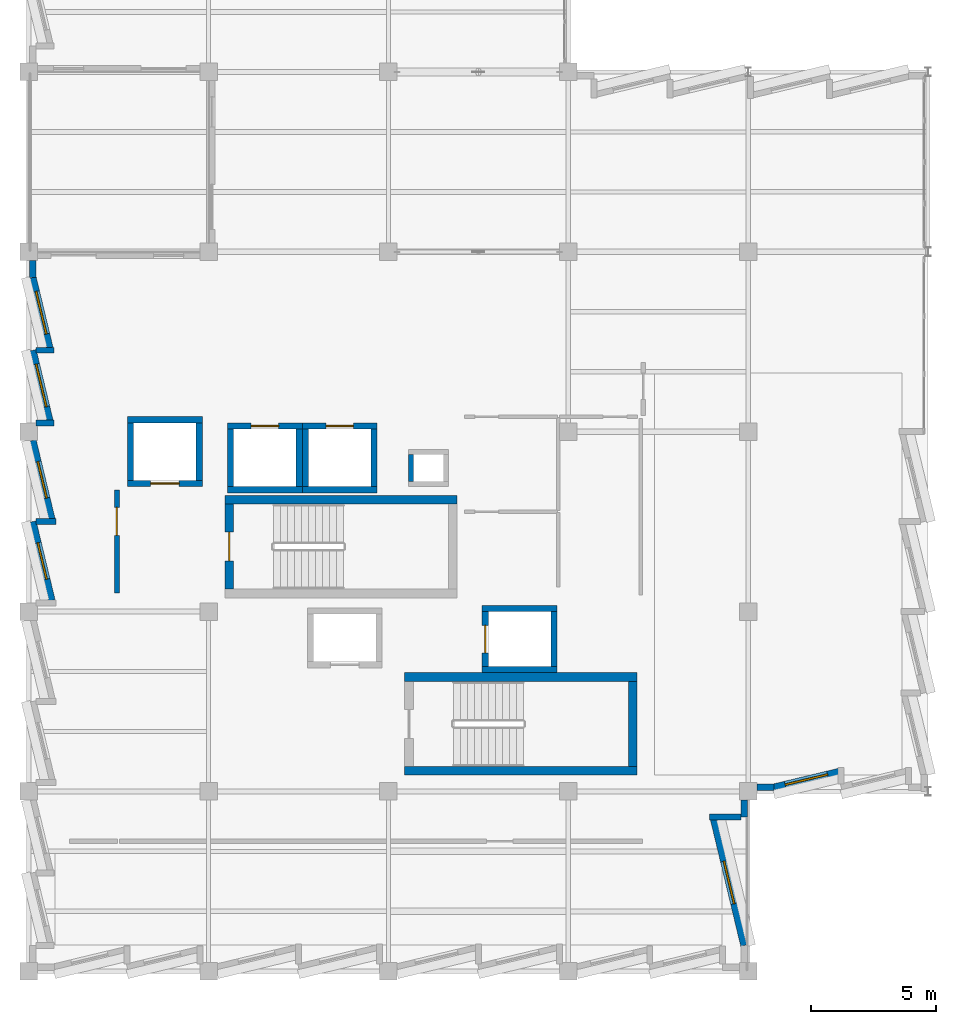
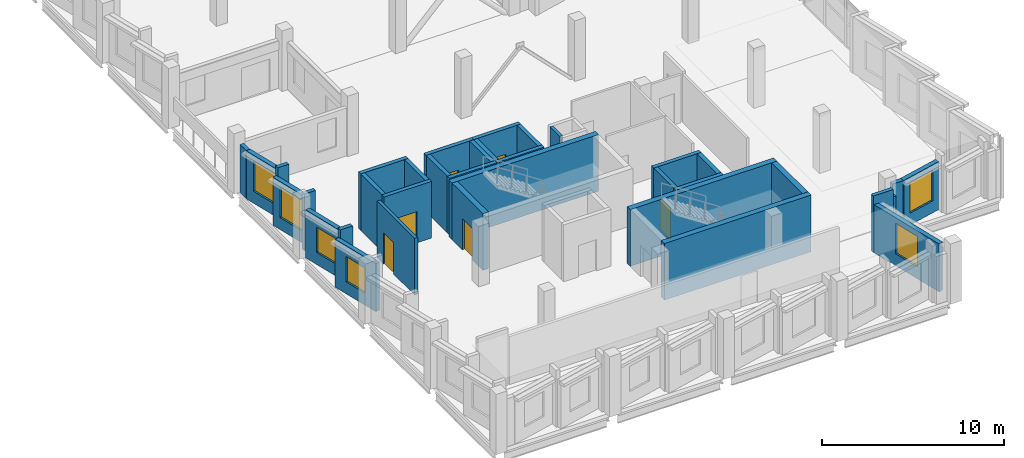
# One storey, part 23 of 33: 36 walls, 6 doors, 6 windows, 12 openings.
"""IFC4 building model written with IfcOpenShell, lengths in metres."""

from ifc_helpers import new_model, si_unit, direction, frame, frame_2d, origin, place, context, subcontext, project, spatial, rectangle, extrude, material, layer, layer_set, type_object, element, fill, save


model = new_model("IFC4")

# Units and contexts
model_context = context("Model", 3, precision=1e-05, world=origin(), true_north=direction((0.0, 1.0)))
body_context = subcontext(model_context, "Body", "Model", "MODEL_VIEW")
ifc_project = project(units=[si_unit("LENGTHUNIT", "METRE"), si_unit("AREAUNIT", "SQUARE_METRE"), si_unit("VOLUMEUNIT", "CUBIC_METRE"), si_unit("PLANEANGLEUNIT", "RADIAN"), si_unit("MASSUNIT", "GRAM", prefix="KILO")], contexts=[model_context])

# Site, building, storey
site_placement = place(None, origin())
site = spatial("IfcSite", under=ifc_project, at=site_placement, CompositionType="ELEMENT")
building_placement = place(site_placement, origin())
building = spatial("IfcBuilding", under=site, at=building_placement, Name="Kalmorath City Hall", CompositionType="ELEMENT")
storey_placement = place(building_placement, frame((0.0, 0.0, 22.949951171875)))
storey = spatial("IfcBuildingStorey", under=building, at=storey_placement, Name="L05", CompositionType="ELEMENT", Elevation=22.949951171875)

# Wall
ifc_material_1 = material(Name="Concrete C50/60", Category="concrete")
ifc_layer_1 = layer(ifc_material_1, 0.35009765625)
ifc_layer_set_1 = layer_set([ifc_layer_1], Name="Concrete C50/60")
wall_type_1 = type_object("IfcWallType", Name="Concrete core shear wall 350", PredefinedType="SHEAR", material=ifc_layer_set_1)
wall_1_placement = place(storey_placement, frame((17.14990234375, 18.875, 0.0), z_axis=(0.0, 0.0, 1.0), x_axis=(-1.0, 0.0, 0.0)))
element("IfcWall", 1, at=wall_1_placement, inside=storey, type_object=wall_type_1, Name="L05 C1 stair core shear wall N", PredefinedType="SHEAR", context=body_context, shape_type="SweptSolid", body=[
    extrude(rectangle(XDim=9.2998046875, YDim=0.35009765625, at=frame_2d((4.64990234375, 0.0))), origin(), (0.0, 0.0, 1.0), 3.800048828125),
])

# Wall, opening, door
wall_2_placement = place(storey_placement, frame((8.02490234375, 18.699951171875, 0.0), z_axis=(0.0, 0.0, 1.0), x_axis=(0.0, -1.0, 0.0)))
wall_2 = element("IfcWall", 2, at=wall_2_placement, inside=storey, type_object=wall_type_1, Name="L05 C1 stair core shear wall W", PredefinedType="SHEAR", context=body_context, shape_type="SweptSolid", body=[
    extrude(rectangle(XDim=3.39990234375, YDim=0.35009765625, at=frame_2d((1.699951171875, 0.0))), origin(), (0.0, 0.0, 1.0), 3.800048828125),
])
opening_1_placement = place(wall_2_placement, frame((1.125, 0.0, 0.0)))
opening_1 = element("IfcOpeningElement", 3, at=opening_1_placement, cuts=wall_2, Name="Opening D-L05-007", PredefinedType="OPENING", context=body_context, shape_type="SweptSolid", body=[
    extrude(rectangle(XDim=1.14990234375, YDim=2.10009765625, at=frame_2d((0.574951171875, 1.050048828125))), frame((0.0, 0.18505859375, 0.0), z_axis=(0.0, -1.0, 0.0), x_axis=(1.0, 0.0, 0.0)), (0.0, 0.0, 1.0), 0.3701171875),
])
ifc_material_2 = material(Name="Galvanised steel fire door", Category="steel")
door_type_1 = type_object("IfcDoorType", Name="Stair enclosure 90-min fire door 1150x2100", OperationType="NOTDEFINED", PredefinedType="DOOR", material=ifc_material_2)
door_1_placement = place(opening_1_placement, frame((1.14990234375, 0.0, 0.0), z_axis=(0.0, 0.0, 1.0), x_axis=(-1.0, 0.0, 0.0)))
door_1 = element("IfcDoor", 4, at=door_1_placement, inside=storey, type_object=door_type_1, Name="L05 door D-L05-007", OperationType="SINGLE_SWING_LEFT", OverallHeight=2.10009765625, OverallWidth=1.14990234375, PredefinedType="DOOR", context=body_context, shape_type="SweptSolid", body=[
    extrude(rectangle(XDim=1.14990234375, YDim=2.10009765625, at=frame_2d((0.574951171875, 1.050048828125))), frame((0.0, 0.02490234375, 0.0), z_axis=(0.0, -1.0, 0.0), x_axis=(1.0, 0.0, 0.0)), (0.0, 0.0, 1.0), 0.050048828125),
])
fill(opening_1, door_1)

# Walls
for number, where, z_axis, x_axis, name in (
    (5, (15.050048828125, 8.02490234375, 0.0), (0.0, 0.0, 1.0), (1.0, 0.0, 0.0), "L05 C2 stair core shear wall S"),
    (6, (24.35009765625, 11.77490234375, 0.0), (0.0, 0.0, 1.0), (-1.0, 0.0, 0.0), "L05 C2 stair core shear wall N"),
):
    element("IfcWall", number, at=place(storey_placement, frame(where, z_axis=z_axis, x_axis=x_axis)), inside=storey, type_object=wall_type_1, Name=name, PredefinedType="SHEAR", context=body_context, shape_type="SweptSolid", body=[
        extrude(rectangle(XDim=9.300048828125, YDim=0.35009765625, at=frame_2d((4.64990234375, 0.0))), origin(), (0.0, 0.0, 1.0), 3.800048828125),
    ])
wall_3_placement = place(storey_placement, frame((24.175048828125, 8.199951171875, 0.0), z_axis=(0.0, 0.0, 1.0), x_axis=(0.0, 1.0, 0.0)))
element("IfcWall", 7, at=wall_3_placement, inside=storey, type_object=wall_type_1, Name="L05 C2 stair core shear wall E", PredefinedType="SHEAR", context=body_context, shape_type="SweptSolid", body=[
    extrude(rectangle(XDim=3.400146484375, YDim=0.35009765625, at=frame_2d((1.7001953125, 0.0))), origin(), (0.0, 0.0, 1.0), 3.800048828125),
])

# Wall, opening, door
ifc_material_3 = material(Name="Concrete C50/60", Category="concrete")
ifc_layer_2 = layer(ifc_material_3, 0.25)
ifc_layer_set_2 = layer_set([ifc_layer_2], Name="Concrete C50/60")
wall_type_2 = type_object("IfcWallType", Name="Concrete lift shaft wall 250", PredefinedType="SHEAR", material=ifc_layer_set_2)
wall_4_placement = place(storey_placement, frame((3.949951171875, 19.52490234375, 0.0), z_axis=(0.0, 0.0, 1.0), x_axis=(1.0, 0.0, 0.0)))
wall_4 = element("IfcWall", 8, at=wall_4_placement, inside=storey, type_object=wall_type_2, Name="L05 FL1 lift shaft wall -y", PredefinedType="SHEAR", context=body_context, shape_type="SweptSolid", body=[
    extrude(rectangle(XDim=3.0, YDim=0.25, at=frame_2d((1.5, 0.0))), origin(), (0.0, 0.0, 1.0), 3.800048828125),
])
opening_2_placement = place(wall_4_placement, frame((0.925048828125, 0.0, 0.0)))
opening_2 = element("IfcOpeningElement", 9, at=opening_2_placement, cuts=wall_4, Name="Opening LD-016", PredefinedType="OPENING", context=body_context, shape_type="SweptSolid", body=[
    extrude(rectangle(XDim=1.14990234375, YDim=2.10009765625, at=frame_2d((0.574951171875, 1.050048828125))), frame((0.0, 0.135009765625, 0.0), z_axis=(0.0, -1.0, 0.0), x_axis=(1.0, 0.0, 0.0)), (0.0, 0.0, 1.0), 0.27001953125),
])
ifc_material_4 = material(Name="Stainless steel sliding landing door", Category="steel")
door_type_2 = type_object("IfcDoorType", Name="Firefighting lift sliding landing door 1150x2100", OperationType="SLIDING_TO_RIGHT", PredefinedType="DOOR", material=ifc_material_4)
door_2_placement = place(opening_2_placement, origin())
door_2 = element("IfcDoor", 10, at=door_2_placement, inside=storey, type_object=door_type_2, Name="L05 door LD-016", OperationType="SLIDING_TO_RIGHT", OverallHeight=2.10009765625, OverallWidth=1.14990234375, PredefinedType="DOOR", context=body_context, shape_type="SweptSolid", body=[
    extrude(rectangle(XDim=1.14990234375, YDim=2.10009765625, at=frame_2d((0.574951171875, 1.050048828125))), frame((0.0, 0.02490234375, 0.0), z_axis=(0.0, -1.0, 0.0), x_axis=(1.0, 0.0, 0.0)), (0.0, 0.0, 1.0), 0.050048828125),
])
fill(opening_2, door_2)

# Walls
wall_5_placement = place(storey_placement, frame((6.949951171875, 22.074951171875, 0.0), z_axis=(0.0, 0.0, 1.0), x_axis=(-1.0, 0.0, 0.0)))
element("IfcWall", 11, at=wall_5_placement, inside=storey, type_object=wall_type_2, Name="L05 FL1 lift shaft wall +y", PredefinedType="SHEAR", context=body_context, shape_type="SweptSolid", body=[
    extrude(rectangle(XDim=3.0, YDim=0.25, at=frame_2d((1.5, 0.0))), origin(), (0.0, 0.0, 1.0), 3.800048828125),
])
for number, where, z_axis, x_axis, name in (
    (12, (4.074951171875, 21.949951171875, 0.0), (0.0, 0.0, 1.0), (0.0, -1.0, 0.0), "L05 FL1 lift shaft wall -x"),
    (13, (6.824951171875, 19.64990234375, 0.0), (0.0, 0.0, 1.0), (0.0, 1.0, 0.0), "L05 FL1 lift shaft wall +x"),
):
    element("IfcWall", number, at=place(storey_placement, frame(where, z_axis=z_axis, x_axis=x_axis)), inside=storey, type_object=wall_type_2, Name=name, PredefinedType="SHEAR", context=body_context, shape_type="SweptSolid", body=[
        extrude(rectangle(XDim=2.300048828125, YDim=0.25, at=frame_2d((1.14990234375, 0.0))), origin(), (0.0, 0.0, 1.0), 3.800048828125),
    ])
wall_6_placement = place(storey_placement, frame((7.949951171875, 19.27490234375, 0.0), z_axis=(0.0, 0.0, 1.0), x_axis=(1.0, 0.0, 0.0)))
element("IfcWall", 14, at=wall_6_placement, inside=storey, type_object=wall_type_2, Name="L05 PL1 lift shaft wall -y", PredefinedType="SHEAR", context=body_context, shape_type="SweptSolid", body=[
    extrude(rectangle(XDim=3.0, YDim=0.25, at=frame_2d((1.5, 0.0))), origin(), (0.0, 0.0, 1.0), 3.800048828125),
])

# Wall, opening, door
wall_7_placement = place(storey_placement, frame((10.949951171875, 21.824951171875, 0.0), z_axis=(0.0, 0.0, 1.0), x_axis=(-1.0, 0.0, 0.0)))
wall_7 = element("IfcWall", 15, at=wall_7_placement, inside=storey, type_object=wall_type_2, Name="L05 PL1 lift shaft wall +y", PredefinedType="SHEAR", context=body_context, shape_type="SweptSolid", body=[
    extrude(rectangle(XDim=3.0, YDim=0.25, at=frame_2d((1.5, 0.0))), origin(), (0.0, 0.0, 1.0), 3.800048828125),
])
opening_3_placement = place(wall_7_placement, frame((0.949951171875, 0.0, 0.0)))
opening_3 = element("IfcOpeningElement", 16, at=opening_3_placement, cuts=wall_7, Name="Opening LD-025", PredefinedType="OPENING", context=body_context, shape_type="SweptSolid", body=[
    extrude(rectangle(XDim=1.10009765625, YDim=2.10009765625, at=frame_2d((0.550048828125, 1.050048828125))), frame((0.0, 0.135009765625, 0.0), z_axis=(0.0, -1.0, 0.0), x_axis=(1.0, 0.0, 0.0)), (0.0, 0.0, 1.0), 0.27001953125),
])
ifc_material_5 = material(Name="Stainless steel sliding landing door", Category="steel")
door_type_3 = type_object("IfcDoorType", Name="Passenger lift sliding landing door 1100x2100", OperationType="SLIDING_TO_LEFT", PredefinedType="DOOR", material=ifc_material_5)
door_3_placement = place(opening_3_placement, origin())
door_3 = element("IfcDoor", 17, at=door_3_placement, inside=storey, type_object=door_type_3, Name="L05 door LD-025", OperationType="SLIDING_TO_LEFT", OverallHeight=2.10009765625, OverallWidth=1.10009765625, PredefinedType="DOOR", context=body_context, shape_type="SweptSolid", body=[
    extrude(rectangle(XDim=1.10009765625, YDim=2.10009765625, at=frame_2d((0.550048828125, 1.050048828125))), frame((0.0, 0.02490234375, 0.0), z_axis=(0.0, -1.0, 0.0), x_axis=(1.0, 0.0, 0.0)), (0.0, 0.0, 1.0), 0.050048828125),
])
fill(opening_3, door_3)

# Walls
for number, where, z_axis, x_axis, name in (
    (18, (8.074951171875, 21.699951171875, 0.0), (0.0, 0.0, 1.0), (0.0, -1.0, 0.0), "L05 PL1 lift shaft wall -x"),
    (19, (10.824951171875, 19.39990234375, 0.0), (0.0, 0.0, 1.0), (0.0, 1.0, 0.0), "L05 PL1 lift shaft wall +x"),
):
    element("IfcWall", number, at=place(storey_placement, frame(where, z_axis=z_axis, x_axis=x_axis)), inside=storey, type_object=wall_type_2, Name=name, PredefinedType="SHEAR", context=body_context, shape_type="SweptSolid", body=[
        extrude(rectangle(XDim=2.300048828125, YDim=0.25, at=frame_2d((1.14990234375, 0.0))), origin(), (0.0, 0.0, 1.0), 3.800048828125),
    ])
wall_8_placement = place(storey_placement, frame((10.949951171875, 19.27490234375, 0.0), z_axis=(0.0, 0.0, 1.0), x_axis=(1.0, 0.0, 0.0)))
element("IfcWall", 20, at=wall_8_placement, inside=storey, type_object=wall_type_2, Name="L05 PL2 lift shaft wall -y", PredefinedType="SHEAR", context=body_context, shape_type="SweptSolid", body=[
    extrude(rectangle(XDim=3.0, YDim=0.25, at=frame_2d((1.5, 0.0))), origin(), (0.0, 0.0, 1.0), 3.800048828125),
])

# Wall, opening, door
wall_9_placement = place(storey_placement, frame((13.949951171875, 21.824951171875, 0.0), z_axis=(0.0, 0.0, 1.0), x_axis=(-1.0, 0.0, 0.0)))
wall_9 = element("IfcWall", 21, at=wall_9_placement, inside=storey, type_object=wall_type_2, Name="L05 PL2 lift shaft wall +y", PredefinedType="SHEAR", context=body_context, shape_type="SweptSolid", body=[
    extrude(rectangle(XDim=3.0, YDim=0.25, at=frame_2d((1.5, 0.0))), origin(), (0.0, 0.0, 1.0), 3.800048828125),
])
opening_4_placement = place(wall_9_placement, frame((0.949951171875, 0.0, 0.0)))
opening_4 = element("IfcOpeningElement", 22, at=opening_4_placement, cuts=wall_9, Name="Opening LD-034", PredefinedType="OPENING", context=body_context, shape_type="SweptSolid", body=[
    extrude(rectangle(XDim=1.10009765625, YDim=2.10009765625, at=frame_2d((0.550048828125, 1.050048828125))), frame((0.0, 0.135009765625, 0.0), z_axis=(0.0, -1.0, 0.0), x_axis=(1.0, 0.0, 0.0)), (0.0, 0.0, 1.0), 0.27001953125),
])
door_4_placement = place(opening_4_placement, origin())
door_4 = element("IfcDoor", 23, at=door_4_placement, inside=storey, type_object=door_type_3, Name="L05 door LD-034", OperationType="SLIDING_TO_LEFT", OverallHeight=2.10009765625, OverallWidth=1.10009765625, PredefinedType="DOOR", context=body_context, shape_type="SweptSolid", body=[
    extrude(rectangle(XDim=1.10009765625, YDim=2.10009765625, at=frame_2d((0.550048828125, 1.050048828125))), frame((0.0, 0.02490234375, 0.0), z_axis=(0.0, -1.0, 0.0), x_axis=(1.0, 0.0, 0.0)), (0.0, 0.0, 1.0), 0.050048828125),
])
fill(opening_4, door_4)

# Walls
for number, where, z_axis, x_axis, name in (
    (24, (11.074951171875, 21.699951171875, 0.0), (0.0, 0.0, 1.0), (0.0, -1.0, 0.0), "L05 PL2 lift shaft wall -x"),
    (25, (13.824951171875, 19.39990234375, 0.0), (0.0, 0.0, 1.0), (0.0, 1.0, 0.0), "L05 PL2 lift shaft wall +x"),
):
    element("IfcWall", number, at=place(storey_placement, frame(where, z_axis=z_axis, x_axis=x_axis)), inside=storey, type_object=wall_type_2, Name=name, PredefinedType="SHEAR", context=body_context, shape_type="SweptSolid", body=[
        extrude(rectangle(XDim=2.300048828125, YDim=0.25, at=frame_2d((1.14990234375, 0.0))), origin(), (0.0, 0.0, 1.0), 3.800048828125),
    ])
for number, where, z_axis, x_axis, name in (
    (26, (18.14990234375, 12.074951171875, 0.0), (0.0, 0.0, 1.0), (1.0, 0.0, 0.0), "L05 PL3 lift shaft wall -y"),
    (27, (21.14990234375, 14.52490234375, 0.0), (0.0, 0.0, 1.0), (-1.0, 0.0, 0.0), "L05 PL3 lift shaft wall +y"),
):
    element("IfcWall", number, at=place(storey_placement, frame(where, z_axis=z_axis, x_axis=x_axis)), inside=storey, type_object=wall_type_2, Name=name, PredefinedType="SHEAR", context=body_context, shape_type="SweptSolid", body=[
        extrude(rectangle(XDim=3.0, YDim=0.25, at=frame_2d((1.5, 0.0))), origin(), (0.0, 0.0, 1.0), 3.800048828125),
    ])

# Wall, opening, door
wall_10_placement = place(storey_placement, frame((18.27490234375, 14.39990234375, 0.0), z_axis=(0.0, 0.0, 1.0), x_axis=(0.0, -1.0, 0.0)))
wall_10 = element("IfcWall", 28, at=wall_10_placement, inside=storey, type_object=wall_type_2, Name="L05 PL3 lift shaft wall -x", PredefinedType="SHEAR", context=body_context, shape_type="SweptSolid", body=[
    extrude(rectangle(XDim=2.199951171875, YDim=0.25, at=frame_2d((1.10009765625, 0.0))), origin(), (0.0, 0.0, 1.0), 3.800048828125),
])
opening_5_placement = place(wall_10_placement, frame((0.550048828125, 0.0, 0.0)))
opening_5 = element("IfcOpeningElement", 29, at=opening_5_placement, cuts=wall_10, Name="Opening LD-061", PredefinedType="OPENING", context=body_context, shape_type="SweptSolid", body=[
    extrude(rectangle(XDim=1.10009765625, YDim=2.10009765625, at=frame_2d((0.550048828125, 1.050048828125))), frame((0.0, 0.135009765625, 0.0), z_axis=(0.0, -1.0, 0.0), x_axis=(1.0, 0.0, 0.0)), (0.0, 0.0, 1.0), 0.27001953125),
])
door_5_placement = place(opening_5_placement, origin())
door_5 = element("IfcDoor", 30, at=door_5_placement, inside=storey, type_object=door_type_3, Name="L05 door LD-061", OperationType="SLIDING_TO_LEFT", OverallHeight=2.10009765625, OverallWidth=1.10009765625, PredefinedType="DOOR", context=body_context, shape_type="SweptSolid", body=[
    extrude(rectangle(XDim=1.10009765625, YDim=2.10009765625, at=frame_2d((0.550048828125, 1.050048828125))), frame((0.0, 0.02490234375, 0.0), z_axis=(0.0, -1.0, 0.0), x_axis=(1.0, 0.0, 0.0)), (0.0, 0.0, 1.0), 0.050048828125),
])
fill(opening_5, door_5)

# Walls
wall_11_placement = place(storey_placement, frame((21.02490234375, 12.199951171875, 0.0), z_axis=(0.0, 0.0, 1.0), x_axis=(0.0, 1.0, 0.0)))
element("IfcWall", 31, at=wall_11_placement, inside=storey, type_object=wall_type_2, Name="L05 PL3 lift shaft wall +x", PredefinedType="SHEAR", context=body_context, shape_type="SweptSolid", body=[
    extrude(rectangle(XDim=2.199951171875, YDim=0.25, at=frame_2d((1.10009765625, 0.0))), origin(), (0.0, 0.0, 1.0), 3.800048828125),
])
ifc_material_6 = material(Name="Concrete C40/50", Category="concrete")
ifc_layer_3 = layer(ifc_material_6, 0.199951171875)
ifc_layer_set_3 = layer_set([ifc_layer_3], Name="Concrete C40/50")
wall_type_3 = type_object("IfcWallType", Name="Concrete service riser wall 200", PredefinedType="SOLIDWALL", material=ifc_layer_set_3)
wall_12_placement = place(storey_placement, frame((15.300048828125, 20.679931640625, 0.0), z_axis=(0.0, 0.0, 1.0), x_axis=(0.0, -1.0, 0.0)))
element("IfcWall", 32, at=wall_12_placement, inside=storey, type_object=wall_type_3, Name="L05 RSR-1 riser shaft wall W", PredefinedType="SOLIDWALL", context=body_context, shape_type="SweptSolid", body=[
    extrude(rectangle(XDim=1.079833984375, YDim=0.199951171875, at=frame_2d((0.5400390625, 0.0))), origin(), (0.0, 0.0, 1.0), 3.800048828125),
])
ifc_material_7 = material(Name="Precast concrete C40/50", Category="concrete")
ifc_layer_4 = layer(ifc_material_7, 0.239990234375)
ifc_layer_set_4 = layer_set([ifc_layer_4], Name="Precast concrete C40/50")
wall_type_4 = type_object("IfcWallType", Name="Precast sawtooth cheek wall 240", PredefinedType="SOLIDWALL", material=ifc_layer_set_4)
wall_13_placement = place(storey_placement, frame((27.261474609375, 6.1689453125, 0.0), z_axis=(0.0, 0.0, 1.0), x_axis=(1.0, 0.0, 0.0)))
element("IfcWall", 33, at=wall_13_placement, inside=storey, type_object=wall_type_4, Name="L05 sawtooth return cheek #864", PredefinedType="SOLIDWALL", context=body_context, shape_type="SweptSolid", body=[
    extrude(rectangle(XDim=1.256591796875, YDim=0.239990234375, at=frame_2d((0.62841796875, 0.0))), origin(), (0.0, 0.0, 1.0), 3.800048828125),
])
wall_14_placement = place(storey_placement, frame((1.0849609375, 18.0, 0.0), z_axis=(0.0, 0.0, 1.0), x_axis=(-1.0, 0.0, 0.0)))
element("IfcWall", 34, at=wall_14_placement, inside=storey, type_object=wall_type_4, Name="L05 sawtooth return cheek #895", PredefinedType="SOLIDWALL", context=body_context, shape_type="SweptSolid", body=[
    extrude(rectangle(XDim=0.79296875, YDim=0.239990234375, at=frame_2d((0.396484375, 0.0))), origin(), (0.0, 0.0, 1.0), 3.800048828125),
])
for number, where, z_axis, x_axis, name in (
    (35, (1.00341796875, 21.950927734375, 0.0), (0.0, 0.0, 1.0), (-1.0, 0.0, 0.0), "L05 sawtooth return cheek #898"),
    (36, (1.00341796875, 24.860107421875, 0.0), (0.0, 0.0, 1.0), (-1.0, 0.0, 0.0), "L05 sawtooth return cheek #900"),
):
    element("IfcWall", number, at=place(storey_placement, frame(where, z_axis=z_axis, x_axis=x_axis)), inside=storey, type_object=wall_type_4, Name=name, PredefinedType="SOLIDWALL", context=body_context, shape_type="SweptSolid", body=[
        extrude(rectangle(XDim=0.71142578125, YDim=0.239990234375, at=frame_2d((0.355712890625, 0.0))), origin(), (0.0, 0.0, 1.0), 3.800048828125),
    ])

# Wall, opening, window
ifc_material_8 = material(Name="Precast concrete C40/50", Category="concrete")
ifc_layer_5 = layer(ifc_material_8, 0.280029296875)
ifc_layer_set_5 = layer_set([ifc_layer_5], Name="Precast concrete C40/50")
wall_type_5 = type_object("IfcWallType", Name="Precast sawtooth facade wall 280", PredefinedType="SOLIDWALL", material=ifc_layer_set_5)
wall_15_placement = place(storey_placement, frame((32.431640625, 7.984375, 0.0), z_axis=(0.0, 0.0, 1.0), x_axis=(-0.972376528942, -0.233417835571, 0.0)))
wall_15 = element("IfcWall", 37, at=wall_15_placement, inside=storey, type_object=wall_type_5, Name="L05 sawtooth precast frame #859", PredefinedType="SOLIDWALL", context=body_context, shape_type="SweptSolid", body=[
    extrude(rectangle(XDim=2.674560546875, YDim=0.280029296875, at=frame_2d((1.33740234375, 0.0))), origin(), (0.0, 0.0, 1.0), 3.216064453125),
])
opening_6_placement = place(wall_15_placement, frame((0.46240234375, 0.0, 0.800048828125)))
opening_6 = element("IfcOpeningElement", 38, at=opening_6_placement, cuts=wall_15, Name="Opening WN1", PredefinedType="OPENING", context=body_context, shape_type="SweptSolid", body=[
    extrude(rectangle(XDim=1.75, YDim=2.050048828125, at=frame_2d((0.875, 1.02490234375))), frame((0.0, 0.14990234375, 0.0), z_axis=(0.0, -1.0, 0.0), x_axis=(1.0, 0.0, 0.0)), (0.0, 0.0, 1.0), 0.300048828125),
])
ifc_material_9 = material(Name="Aluminium and laminated glass", Category="aluminium")
window_type_1 = type_object("IfcWindowType", Name="Sawtooth hurricane window 1750x2050", PartitioningType="SINGLE_PANEL", PredefinedType="WINDOW", material=ifc_material_9)
window_1_placement = place(opening_6_placement, origin())
window_1 = element("IfcWindow", 39, at=window_1_placement, inside=storey, type_object=window_type_1, Name="L05 window WN1-445", OverallHeight=2.050048828125, OverallWidth=1.75, PartitioningType="SINGLE_PANEL", PredefinedType="WINDOW", context=body_context, shape_type="SweptSolid", body=[
    extrude(rectangle(XDim=1.75, YDim=2.050048828125, at=frame_2d((0.875, 1.02490234375))), frame((0.0, 0.030029296875, 0.0), z_axis=(0.0, -1.0, 0.0), x_axis=(1.0, 0.0, 0.0)), (0.0, 0.0, 1.0), 0.06005859375),
])
fill(opening_6, window_1)

wall_16_placement = place(storey_placement, frame((27.4287109375, 6.07666015625, 0.0), z_axis=(0.0, 0.0, 1.0), x_axis=(0.233413880581, -0.972377478324, 0.0)))
wall_16 = element("IfcWall", 40, at=wall_16_placement, inside=storey, type_object=wall_type_5, Name="L05 sawtooth precast frame #863", PredefinedType="SOLIDWALL", context=body_context, shape_type="SweptSolid", body=[
    extrude(rectangle(XDim=5.18896484375, YDim=0.280029296875, at=frame_2d((2.594482421875, 0.0))), origin(), (0.0, 0.0, 1.0), 3.216064453125),
])
opening_7_placement = place(wall_16_placement, frame((1.719482421875, 0.0, 0.800048828125)))
opening_7 = element("IfcOpeningElement", 41, at=opening_7_placement, cuts=wall_16, Name="Opening WN1", PredefinedType="OPENING", context=body_context, shape_type="SweptSolid", body=[
    extrude(rectangle(XDim=1.75, YDim=2.050048828125, at=frame_2d((0.875, 1.02490234375))), frame((0.0, 0.14990234375, 0.0), z_axis=(0.0, -1.0, 0.0), x_axis=(1.0, 0.0, 0.0)), (0.0, 0.0, 1.0), 0.300048828125),
])
window_2_placement = place(opening_7_placement, origin())
window_2 = element("IfcWindow", 42, at=window_2_placement, inside=storey, type_object=window_type_1, Name="L05 window WN1-446", OverallHeight=2.050048828125, OverallWidth=1.75, PartitioningType="SINGLE_PANEL", PredefinedType="WINDOW", context=body_context, shape_type="SweptSolid", body=[
    extrude(rectangle(XDim=1.75, YDim=2.050048828125, at=frame_2d((0.875, 1.02490234375))), frame((0.0, 0.030029296875, 0.0), z_axis=(0.0, -1.0, 0.0), x_axis=(1.0, 0.0, 0.0)), (0.0, 0.0, 1.0), 0.06005859375),
])
fill(opening_7, window_2)

wall_17_placement = place(storey_placement, frame((0.917724609375, 14.843505859375, 0.0), z_axis=(0.0, 0.0, 1.0), x_axis=(-0.233446908634, 0.972369549528, 0.0)))
wall_17 = element("IfcWall", 43, at=wall_17_placement, inside=storey, type_object=wall_type_5, Name="L05 sawtooth precast frame #892", PredefinedType="SOLIDWALL", context=body_context, shape_type="SweptSolid", body=[
    extrude(rectangle(XDim=3.24609375, YDim=0.280029296875, at=frame_2d((1.623046875, 0.0))), origin(), (0.0, 0.0, 1.0), 3.216064453125),
])
opening_8_placement = place(wall_17_placement, frame((0.873291015625, 0.0, 0.800048828125)))
opening_8 = element("IfcOpeningElement", 44, at=opening_8_placement, cuts=wall_17, Name="Opening WN7", PredefinedType="OPENING", context=body_context, shape_type="SweptSolid", body=[
    extrude(rectangle(XDim=1.5, YDim=1.699951171875, at=frame_2d((0.75, 0.85009765625))), frame((0.0, 0.14990234375, 0.0), z_axis=(0.0, -1.0, 0.0), x_axis=(1.0, 0.0, 0.0)), (0.0, 0.0, 1.0), 0.300048828125),
])
ifc_material_10 = material(Name="Aluminium and laminated glass", Category="aluminium")
window_type_2 = type_object("IfcWindowType", Name="Sawtooth top storey window 1500x1700", PartitioningType="SINGLE_PANEL", PredefinedType="WINDOW", material=ifc_material_10)
window_3_placement = place(opening_8_placement, origin())
window_3 = element("IfcWindow", 45, at=window_3_placement, inside=storey, type_object=window_type_2, Name="L05 window WN7-459", OverallHeight=1.699951171875, OverallWidth=1.5, PartitioningType="SINGLE_PANEL", PredefinedType="WINDOW", context=body_context, shape_type="SweptSolid", body=[
    extrude(rectangle(XDim=1.5, YDim=1.699951171875, at=frame_2d((0.75, 0.85009765625))), frame((0.0, 0.030029296875, 0.0), z_axis=(0.0, -1.0, 0.0), x_axis=(1.0, 0.0, 0.0)), (0.0, 0.0, 1.0), 0.06005859375),
])
fill(opening_8, window_3)

wall_18_placement = place(storey_placement, frame((0.917724609375, 18.09228515625, 0.0), z_axis=(0.0, 0.0, 1.0), x_axis=(-0.233429837788, 0.972373647746, 0.0)))
wall_18 = element("IfcWall", 46, at=wall_18_placement, inside=storey, type_object=wall_type_5, Name="L05 sawtooth precast frame #894", PredefinedType="SOLIDWALL", context=body_context, shape_type="SweptSolid", body=[
    extrude(rectangle(XDim=3.246337890625, YDim=0.280029296875, at=frame_2d((1.623046875, 0.0))), origin(), (0.0, 0.0, 1.0), 3.216064453125),
])
opening_9_placement = place(wall_18_placement, frame((0.873291015625, 0.0, 0.800048828125)))
opening_9 = element("IfcOpeningElement", 47, at=opening_9_placement, cuts=wall_18, Name="Opening WN7", PredefinedType="OPENING", context=body_context, shape_type="SweptSolid", body=[
    extrude(rectangle(XDim=1.5, YDim=1.699951171875, at=frame_2d((0.75, 0.85009765625))), frame((0.0, 0.14990234375, 0.0), z_axis=(0.0, -1.0, 0.0), x_axis=(1.0, 0.0, 0.0)), (0.0, 0.0, 1.0), 0.300048828125),
])
window_4_placement = place(opening_9_placement, origin())
window_4 = element("IfcWindow", 48, at=window_4_placement, inside=storey, type_object=window_type_2, Name="L05 window WN7-460", OverallHeight=1.699951171875, OverallWidth=1.5, PartitioningType="SINGLE_PANEL", PredefinedType="WINDOW", context=body_context, shape_type="SweptSolid", body=[
    extrude(rectangle(XDim=1.5, YDim=1.699951171875, at=frame_2d((0.75, 0.85009765625))), frame((0.0, 0.030029296875, 0.0), z_axis=(0.0, -1.0, 0.0), x_axis=(1.0, 0.0, 0.0)), (0.0, 0.0, 1.0), 0.06005859375),
])
fill(opening_9, window_4)

wall_19_placement = place(storey_placement, frame((0.836181640625, 22.04345703125, 0.0), z_axis=(0.0, 0.0, 1.0), x_axis=(-0.233462206666, 0.972365876643, 0.0)))
wall_19 = element("IfcWall", 49, at=wall_19_placement, inside=storey, type_object=wall_type_5, Name="L05 sawtooth precast frame #897", PredefinedType="SOLIDWALL", context=body_context, shape_type="SweptSolid", body=[
    extrude(rectangle(XDim=2.896728515625, YDim=0.280029296875, at=frame_2d((1.4482421875, 0.0))), origin(), (0.0, 0.0, 1.0), 3.216064453125),
])
opening_10_placement = place(wall_19_placement, frame((0.5732421875, 0.0, 0.800048828125)))
opening_10 = element("IfcOpeningElement", 50, at=opening_10_placement, cuts=wall_19, Name="Opening WN1", PredefinedType="OPENING", context=body_context, shape_type="SweptSolid", body=[
    extrude(rectangle(XDim=1.75, YDim=2.050048828125, at=frame_2d((0.875, 1.02490234375))), frame((0.0, 0.14990234375, 0.0), z_axis=(0.0, -1.0, 0.0), x_axis=(1.0, 0.0, 0.0)), (0.0, 0.0, 1.0), 0.300048828125),
])
window_5_placement = place(opening_10_placement, origin())
window_5 = element("IfcWindow", 51, at=window_5_placement, inside=storey, type_object=window_type_1, Name="L05 window WN1-461", OverallHeight=2.050048828125, OverallWidth=1.75, PartitioningType="SINGLE_PANEL", PredefinedType="WINDOW", context=body_context, shape_type="SweptSolid", body=[
    extrude(rectangle(XDim=1.75, YDim=2.050048828125, at=frame_2d((0.875, 1.02490234375))), frame((0.0, 0.030029296875, 0.0), z_axis=(0.0, -1.0, 0.0), x_axis=(1.0, 0.0, 0.0)), (0.0, 0.0, 1.0), 0.06005859375),
])
fill(opening_10, window_5)

wall_20_placement = place(storey_placement, frame((0.836181640625, 24.952392578125, 0.0), z_axis=(0.0, 0.0, 1.0), x_axis=(-0.233462206666, 0.972365876643, 0.0)))
wall_20 = element("IfcWall", 52, at=wall_20_placement, inside=storey, type_object=wall_type_5, Name="L05 sawtooth precast frame #899", PredefinedType="SOLIDWALL", context=body_context, shape_type="SweptSolid", body=[
    extrude(rectangle(XDim=2.896728515625, YDim=0.280029296875, at=frame_2d((1.4482421875, 0.0))), origin(), (0.0, 0.0, 1.0), 3.216064453125),
])
opening_11_placement = place(wall_20_placement, frame((0.5732421875, 0.0, 0.800048828125)))
opening_11 = element("IfcOpeningElement", 53, at=opening_11_placement, cuts=wall_20, Name="Opening WN1", PredefinedType="OPENING", context=body_context, shape_type="SweptSolid", body=[
    extrude(rectangle(XDim=1.75, YDim=2.050048828125, at=frame_2d((0.875, 1.02490234375))), frame((0.0, 0.14990234375, 0.0), z_axis=(0.0, -1.0, 0.0), x_axis=(1.0, 0.0, 0.0)), (0.0, 0.0, 1.0), 0.300048828125),
])
window_6_placement = place(opening_11_placement, origin())
window_6 = element("IfcWindow", 54, at=window_6_placement, inside=storey, type_object=window_type_1, Name="L05 window WN1-462", OverallHeight=2.050048828125, OverallWidth=1.75, PartitioningType="SINGLE_PANEL", PredefinedType="WINDOW", context=body_context, shape_type="SweptSolid", body=[
    extrude(rectangle(XDim=1.75, YDim=2.050048828125, at=frame_2d((0.875, 1.02490234375))), frame((0.0, 0.030029296875, 0.0), z_axis=(0.0, -1.0, 0.0), x_axis=(1.0, 0.0, 0.0)), (0.0, 0.0, 1.0), 0.06005859375),
])
fill(opening_11, window_6)

# Walls
ifc_material_11 = material(Name="Precast concrete C40/50", Category="concrete")
ifc_layer_6 = layer(ifc_material_11, 0.260009765625)
ifc_layer_set_6 = layer_set([ifc_layer_6], Name="Precast concrete C40/50")
wall_type_6 = type_object("IfcWallType", Name="Precast sawtooth return wall 260", PredefinedType="SOLIDWALL", material=ifc_layer_set_6)
for number, where, z_axis, x_axis, name in (
    (55, (29.8310546875, 7.360107421875, 0.0), (0.0, 0.0, 1.0), (-1.0, 0.0, 0.0), "L05 corner pier wall #856"),
    (56, (28.639892578125, 6.84912109375, 0.0), (0.0, 0.0, 1.0), (0.0, -1.0, 0.0), "L05 corner pier wall #861"),
):
    element("IfcWall", number, at=place(storey_placement, frame(where, z_axis=z_axis, x_axis=x_axis)), inside=storey, type_object=wall_type_6, Name=name, PredefinedType="SOLIDWALL", context=body_context, shape_type="SweptSolid", body=[
        extrude(rectangle(XDim=0.68017578125, YDim=0.260009765625, at=frame_2d((0.340087890625, 0.0))), origin(), (0.0, 0.0, 1.0), 3.216064453125),
    ])
wall_21_placement = place(storey_placement, frame((0.159912109375, 27.76904296875, 0.0), z_axis=(0.0, 0.0, 1.0), x_axis=(0.0, 1.0, 0.0)))
element("IfcWall", 57, at=wall_21_placement, inside=storey, type_object=wall_type_6, Name="L05 corner pier wall #896", PredefinedType="SOLIDWALL", context=body_context, shape_type="SweptSolid", body=[
    extrude(rectangle(XDim=0.679931640625, YDim=0.260009765625, at=frame_2d((0.33984375, 0.0))), origin(), (0.0, 0.0, 1.0), 3.216064453125),
])

# Wall, opening, door
ifc_material_12 = material(Name="Gypsum fire-rated shaftliner partition")
ifc_layer_7 = layer(ifc_material_12, 0.199951171875)
ifc_layer_set_7 = layer_set([ifc_layer_7], Name="Gypsum fire-rated shaftliner partition")
wall_type_7 = type_object("IfcWallType", Name="Two-hour fire barrier partition 200", PredefinedType="PARTITIONING", material=ifc_layer_set_7)
wall_22_placement = place(storey_placement, frame((3.52490234375, 15.139892578125, 0.0), z_axis=(0.0, 0.0, 1.0), x_axis=(0.0, 1.0, 0.0)))
wall_22 = element("IfcWall", 58, at=wall_22_placement, inside=storey, type_object=wall_type_7, Name="L05 interior partition PW1 #171", PredefinedType="PARTITIONING", context=body_context, shape_type="SweptSolid", body=[
    extrude(rectangle(XDim=4.1201171875, YDim=0.199951171875, at=frame_2d((2.06005859375, 0.0))), origin(), (0.0, 0.0, 1.0), 3.800048828125),
])
opening_12_placement = place(wall_22_placement, frame((2.31005859375, 0.0, 0.0)))
opening_12 = element("IfcOpeningElement", 59, at=opening_12_placement, cuts=wall_22, Name="Opening D-L05-252", PredefinedType="OPENING", context=body_context, shape_type="SweptSolid", body=[
    extrude(rectangle(XDim=1.1201171875, YDim=2.10009765625, at=frame_2d((0.56005859375, 1.050048828125))), frame((0.0, 0.10986328125, 0.0), z_axis=(0.0, -1.0, 0.0), x_axis=(1.0, 0.0, 0.0)), (0.0, 0.0, 1.0), 0.219970703125),
])
ifc_material_13 = material(Name="Galvanised steel fire door", Category="steel")
door_type_4 = type_object("IfcDoorType", Name="Firefighting lobby 90-min fire door 1120x2100", OperationType="NOTDEFINED", PredefinedType="DOOR", material=ifc_material_13)
door_6_placement = place(opening_12_placement, origin())
door_6 = element("IfcDoor", 60, at=door_6_placement, inside=storey, type_object=door_type_4, Name="L05 door D-L05-252", OperationType="SINGLE_SWING_RIGHT", OverallHeight=2.10009765625, OverallWidth=1.1201171875, PredefinedType="DOOR", context=body_context, shape_type="SweptSolid", body=[
    extrude(rectangle(XDim=1.1201171875, YDim=2.10009765625, at=frame_2d((0.56005859375, 1.050048828125))), frame((0.0, 0.02490234375, 0.0), z_axis=(0.0, -1.0, 0.0), x_axis=(1.0, 0.0, 0.0)), (0.0, 0.0, 1.0), 0.050048828125),
])
fill(opening_12, door_6)

save(model, "model.ifc")
